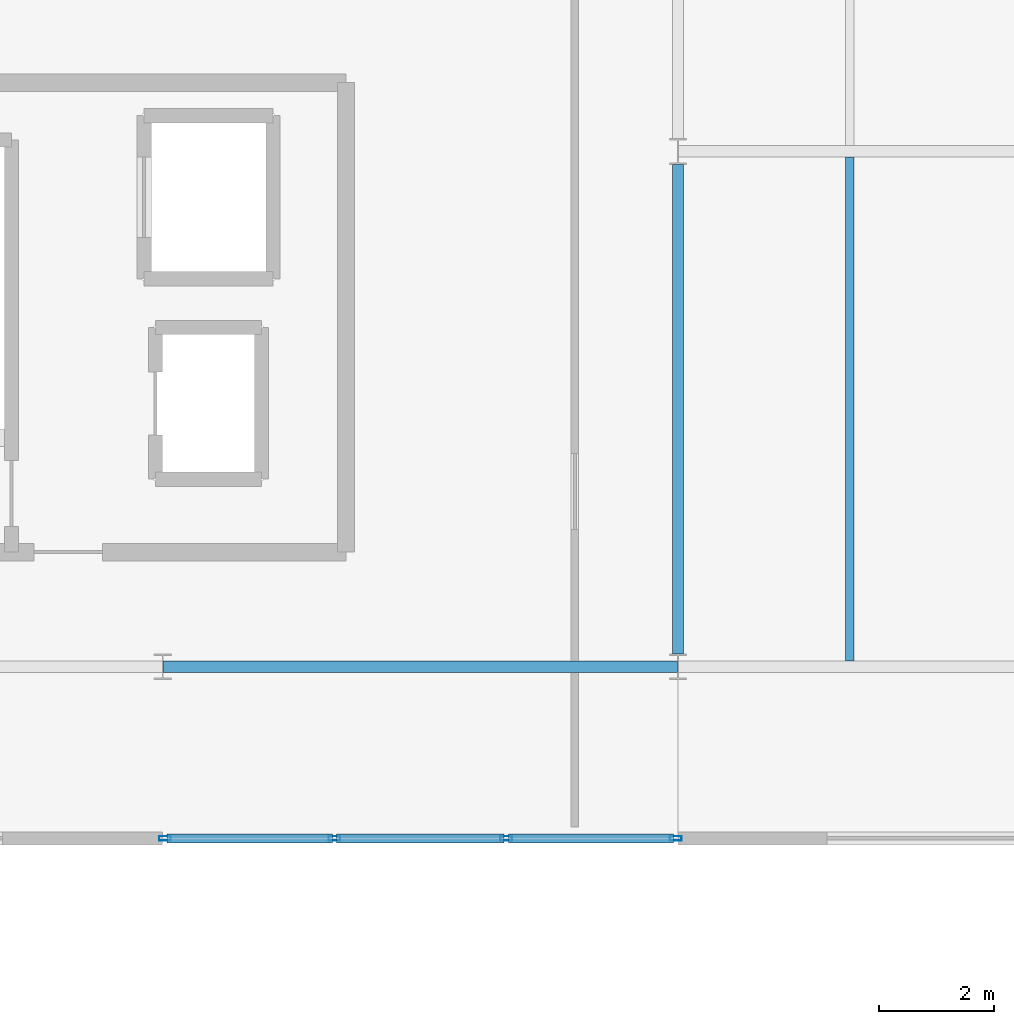
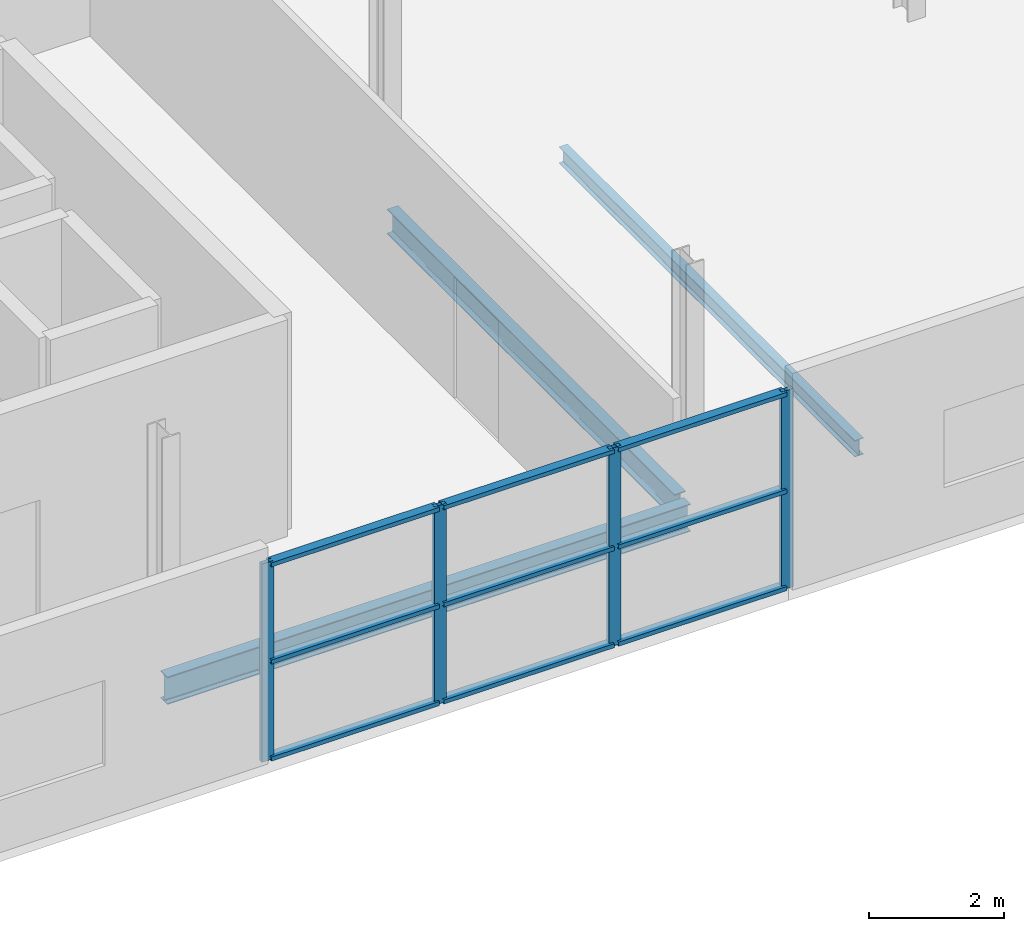
# One storey, part 46 of 132: 13 members, 3 beams, 1 element without a shape of its own.
"""IFC4 building model written with IfcOpenShell, lengths in metres."""

from ifc_helpers import new_model, si_unit, direction, frame, origin, origin_2d, place, context, subcontext, project, spatial, hollow_rectangle, i_section, extrude, material, layer, layer_set, material_profile, profile_set, type_object, element, aggregate, save


model = new_model("IFC4")

# Units and contexts
model_context = context("Model", 3, precision=1e-05, world=origin(), true_north=direction((0.0, 1.0)))
body_context = subcontext(model_context, "Body", "Model", "MODEL_VIEW")
ifc_project = project(units=[si_unit("LENGTHUNIT", "METRE"), si_unit("AREAUNIT", "SQUARE_METRE"), si_unit("VOLUMEUNIT", "CUBIC_METRE"), si_unit("PLANEANGLEUNIT", "RADIAN"), si_unit("MASSUNIT", "GRAM", prefix="KILO")], contexts=[model_context])

# Site, building, storey
site_placement = place(None, origin())
site = spatial("IfcSite", under=ifc_project, at=site_placement, CompositionType="ELEMENT")
building_placement = place(site_placement, origin())
building = spatial("IfcBuilding", under=site, at=building_placement, Name="Deido Ridge Mobility Hub", CompositionType="ELEMENT")
storey_placement = place(building_placement, frame((0.0, 0.0, 8.39990234375)))
storey = spatial("IfcBuildingStorey", under=building, at=storey_placement, Name="L02", CompositionType="ELEMENT", Elevation=8.39990234375)

# Beams
ifc_material_1 = material(Name="Steel S355J2 EN 10025-2", Category="steel")
ifc_material_profile_1 = material_profile(ifc_material_1, i_section(OverallWidth=0.18994140625, OverallDepth=0.449951171875, WebThickness=0.009521484375, FlangeThickness=0.0146484375, FilletRadius=0.02099609375, at=origin_2d()), Name="IPE 450")
ifc_profile_set_1 = profile_set([ifc_material_profile_1], Name="Steel S355J2 EN 10025-2")
beam_type_1 = type_object("IfcBeamType", Name="BM-IPE450", PredefinedType="BEAM", material=ifc_profile_set_1)
beam_1_placement = place(storey_placement, frame((27.0, 54.22509765625, -0.47998046875), z_axis=(0.0, 1.0, 0.0), x_axis=(-1.0, 0.0, 0.0)))
element("IfcBeam", 1, at=beam_1_placement, inside=storey, type_object=beam_type_1, Name="Floor beam B4", PredefinedType="BEAM", context=body_context, shape_type="SweptSolid", body=[
    extrude(i_section(OverallWidth=0.18994140625, OverallDepth=0.449951171875, WebThickness=0.009521484375, FlangeThickness=0.0146484375, FilletRadius=0.02099609375, at=origin_2d()), origin(), (0.0, 0.0, 1.0), 8.5498046875),
])
ifc_material_profile_2 = material_profile(ifc_material_1, i_section(OverallWidth=0.199951171875, OverallDepth=0.5, WebThickness=0.01025390625, FlangeThickness=0.01611328125, FilletRadius=0.02099609375, at=origin_2d()), Name="IPE 500")
ifc_profile_set_2 = profile_set([ifc_material_profile_2], Name="Steel S355J2 EN 10025-2")
beam_type_2 = type_object("IfcBeamType", Name="BM-IPE500", PredefinedType="BEAM", material=ifc_profile_set_2)
beam_2_placement = place(storey_placement, frame((18.007080078125, 54.0, -0.5048828125), z_axis=(1.0, 0.0, 0.0), x_axis=(0.0, 1.0, 0.0)))
element("IfcBeam", 2, at=beam_2_placement, inside=storey, type_object=beam_type_2, Name="Floor beam B3", PredefinedType="BEAM", context=body_context, shape_type="SweptSolid", body=[
    extrude(i_section(OverallWidth=0.199951171875, OverallDepth=0.5, WebThickness=0.01025390625, FlangeThickness=0.01611328125, FilletRadius=0.02099609375, at=origin_2d()), origin(), (0.0, 0.0, 1.0), 8.98583984375),
])
ifc_material_profile_3 = material_profile(ifc_material_1, i_section(OverallWidth=0.14990234375, OverallDepth=0.300048828125, WebThickness=0.007080078125, FlangeThickness=0.0107421875, FilletRadius=0.014892578125, at=origin_2d()), Name="IPE 300")
ifc_profile_set_3 = profile_set([ifc_material_profile_3], Name="Steel S355J2 EN 10025-2")
beam_type_3 = type_object("IfcBeamType", Name="JST-IPE300", PredefinedType="JOIST", material=ifc_profile_set_3)
beam_3_placement = place(storey_placement, frame((30.0, 54.10009765625, -0.40478515625), z_axis=(0.0, 1.0, 0.0), x_axis=(-1.0, 0.0, 0.0)))
element("IfcBeam", 3, at=beam_3_placement, inside=storey, type_object=beam_type_3, Name="Composite joist J3", PredefinedType="JOIST", context=body_context, shape_type="SweptSolid", body=[
    extrude(i_section(OverallWidth=0.14990234375, OverallDepth=0.300048828125, WebThickness=0.007080078125, FlangeThickness=0.0107421875, FilletRadius=0.014892578125, at=origin_2d()), origin(), (0.0, 0.0, 1.0), 8.7998046875),
])

# Curtain wall, members
ifc_material_2 = material(Name="Anodised aluminium EN AW-6063 T6", Category="aluminium")
ifc_layer = layer(ifc_material_2, 0.156005859375, Name="Anodised aluminium EN AW-6063 T6")
ifc_layer_set = layer_set([ifc_layer], Name="Anodised aluminium EN AW-6063 T6")
curtain_wall_type = type_object("IfcCurtainWallType", Name="CW-GS-3", PredefinedType="USERDEFINED", material=ifc_layer_set)
curtain_wall_placement = place(storey_placement, origin())
curtain_wall = element("IfcCurtainWall", 4, at=curtain_wall_placement, inside=storey, type_object=curtain_wall_type, Name="Unitised curtain wall GS3", ObjectType="GLAZED SCREEN", PredefinedType="USERDEFINED")
ifc_material_profile_4 = material_profile(ifc_material_2, hollow_rectangle(XDim=0.074951171875, YDim=0.205078125, WallThickness=0.00390625, at=origin_2d()), Name="RHS 75x205x4")
ifc_profile_set_4 = profile_set([ifc_material_profile_4], Name="Anodised aluminium EN AW-6063 T6")
member_type_1 = type_object("IfcMemberType", Name="MEM-MUL-75X205", PredefinedType="MULLION", material=ifc_profile_set_4)
member_1_placement = place(storey_placement, frame((18.03759765625, 51.0, 0.0), z_axis=(0.0, 0.0, 1.0), x_axis=(0.0, 1.0, 0.0)))
member_1 = element("IfcMember", 5, at=member_1_placement, type_object=member_type_1, Name="GS3 mullion 1", PredefinedType="MULLION", context=body_context, shape_type="SweptSolid", body=[
    extrude(hollow_rectangle(XDim=0.074951171875, YDim=0.205078125, WallThickness=0.00390625, at=origin_2d()), origin(), (0.0, 0.0, 1.0), 3.60009765625),
])
member_2_placement = place(storey_placement, frame((21.0, 51.0, 0.0), z_axis=(0.0, 0.0, 1.0), x_axis=(0.0, 1.0, 0.0)))
member_2 = element("IfcMember", 6, at=member_2_placement, type_object=member_type_1, Name="GS3 mullion 2", PredefinedType="MULLION", context=body_context, shape_type="SweptSolid", body=[
    extrude(hollow_rectangle(XDim=0.074951171875, YDim=0.205078125, WallThickness=0.00390625, at=origin_2d()), origin(), (0.0, 0.0, 1.0), 3.60009765625),
])
member_3_placement = place(storey_placement, frame((24.0, 51.0, 0.0), z_axis=(0.0, 0.0, 1.0), x_axis=(0.0, 1.0, 0.0)))
member_3 = element("IfcMember", 7, at=member_3_placement, type_object=member_type_1, Name="GS3 mullion 3", PredefinedType="MULLION", context=body_context, shape_type="SweptSolid", body=[
    extrude(hollow_rectangle(XDim=0.074951171875, YDim=0.205078125, WallThickness=0.00390625, at=origin_2d()), origin(), (0.0, 0.0, 1.0), 3.60009765625),
])
member_4_placement = place(storey_placement, frame((26.96240234375, 51.0, 0.0), z_axis=(0.0, 0.0, 1.0), x_axis=(0.0, 1.0, 0.0)))
member_4 = element("IfcMember", 8, at=member_4_placement, type_object=member_type_1, Name="GS3 mullion 4", PredefinedType="MULLION", context=body_context, shape_type="SweptSolid", body=[
    extrude(hollow_rectangle(XDim=0.074951171875, YDim=0.205078125, WallThickness=0.00390625, at=origin_2d()), origin(), (0.0, 0.0, 1.0), 3.60009765625),
])
ifc_material_profile_5 = material_profile(ifc_material_2, hollow_rectangle(XDim=0.155029296875, YDim=0.074951171875, WallThickness=0.00390625, at=origin_2d()), Name="RHS 155x75x4")
ifc_profile_set_5 = profile_set([ifc_material_profile_5], Name="Anodised aluminium EN AW-6063 T6")
member_type_2 = type_object("IfcMemberType", Name="MEM-TRN-155X75", PredefinedType="USERDEFINED", material=ifc_profile_set_5)
member_5_placement = place(storey_placement, frame((18.074951171875, 51.0, 0.03759765625), z_axis=(1.0, 0.0, 0.0), x_axis=(0.0, 1.0, 0.0)))
member_5 = element("IfcMember", 9, at=member_5_placement, type_object=member_type_2, Name="GS3 transom 1.1", ObjectType="TRANSOM", PredefinedType="USERDEFINED", context=body_context, shape_type="SweptSolid", body=[
    extrude(hollow_rectangle(XDim=0.155029296875, YDim=0.074951171875, WallThickness=0.00390625, at=origin_2d()), origin(), (0.0, 0.0, 1.0), 2.887451171875),
])
member_6_placement = place(storey_placement, frame((18.074951171875, 51.0, 1.800048828125), z_axis=(1.0, 0.0, 0.0), x_axis=(0.0, 1.0, 0.0)))
member_6 = element("IfcMember", 10, at=member_6_placement, type_object=member_type_2, Name="GS3 transom 1.2", ObjectType="TRANSOM", PredefinedType="USERDEFINED", context=body_context, shape_type="SweptSolid", body=[
    extrude(hollow_rectangle(XDim=0.155029296875, YDim=0.074951171875, WallThickness=0.00390625, at=origin_2d()), origin(), (0.0, 0.0, 1.0), 2.887451171875),
])
member_7_placement = place(storey_placement, frame((18.074951171875, 51.0, 3.5625), z_axis=(1.0, 0.0, 0.0), x_axis=(0.0, 1.0, 0.0)))
member_7 = element("IfcMember", 11, at=member_7_placement, type_object=member_type_2, Name="GS3 transom 1.3", ObjectType="TRANSOM", PredefinedType="USERDEFINED", context=body_context, shape_type="SweptSolid", body=[
    extrude(hollow_rectangle(XDim=0.155029296875, YDim=0.074951171875, WallThickness=0.00390625, at=origin_2d()), origin(), (0.0, 0.0, 1.0), 2.887451171875),
])
member_8_placement = place(storey_placement, frame((21.03759765625, 51.0, 0.03759765625), z_axis=(1.0, 0.0, 0.0), x_axis=(0.0, 1.0, 0.0)))
member_8 = element("IfcMember", 12, at=member_8_placement, type_object=member_type_2, Name="GS3 transom 2.1", ObjectType="TRANSOM", PredefinedType="USERDEFINED", context=body_context, shape_type="SweptSolid", body=[
    extrude(hollow_rectangle(XDim=0.155029296875, YDim=0.074951171875, WallThickness=0.00390625, at=origin_2d()), origin(), (0.0, 0.0, 1.0), 2.9248046875),
])
member_9_placement = place(storey_placement, frame((21.03759765625, 51.0, 1.800048828125), z_axis=(1.0, 0.0, 0.0), x_axis=(0.0, 1.0, 0.0)))
member_9 = element("IfcMember", 13, at=member_9_placement, type_object=member_type_2, Name="GS3 transom 2.2", ObjectType="TRANSOM", PredefinedType="USERDEFINED", context=body_context, shape_type="SweptSolid", body=[
    extrude(hollow_rectangle(XDim=0.155029296875, YDim=0.074951171875, WallThickness=0.00390625, at=origin_2d()), origin(), (0.0, 0.0, 1.0), 2.9248046875),
])
member_10_placement = place(storey_placement, frame((21.03759765625, 51.0, 3.5625), z_axis=(1.0, 0.0, 0.0), x_axis=(0.0, 1.0, 0.0)))
member_10 = element("IfcMember", 14, at=member_10_placement, type_object=member_type_2, Name="GS3 transom 2.3", ObjectType="TRANSOM", PredefinedType="USERDEFINED", context=body_context, shape_type="SweptSolid", body=[
    extrude(hollow_rectangle(XDim=0.155029296875, YDim=0.074951171875, WallThickness=0.00390625, at=origin_2d()), origin(), (0.0, 0.0, 1.0), 2.9248046875),
])
member_11_placement = place(storey_placement, frame((24.03759765625, 51.0, 0.03759765625), z_axis=(1.0, 0.0, 0.0), x_axis=(0.0, 1.0, 0.0)))
member_11 = element("IfcMember", 15, at=member_11_placement, type_object=member_type_2, Name="GS3 transom 3.1", ObjectType="TRANSOM", PredefinedType="USERDEFINED", context=body_context, shape_type="SweptSolid", body=[
    extrude(hollow_rectangle(XDim=0.155029296875, YDim=0.074951171875, WallThickness=0.00390625, at=origin_2d()), origin(), (0.0, 0.0, 1.0), 2.887451171875),
])
member_12_placement = place(storey_placement, frame((24.03759765625, 51.0, 1.800048828125), z_axis=(1.0, 0.0, 0.0), x_axis=(0.0, 1.0, 0.0)))
member_12 = element("IfcMember", 16, at=member_12_placement, type_object=member_type_2, Name="GS3 transom 3.2", ObjectType="TRANSOM", PredefinedType="USERDEFINED", context=body_context, shape_type="SweptSolid", body=[
    extrude(hollow_rectangle(XDim=0.155029296875, YDim=0.074951171875, WallThickness=0.00390625, at=origin_2d()), origin(), (0.0, 0.0, 1.0), 2.887451171875),
])
member_13_placement = place(storey_placement, frame((24.03759765625, 51.0, 3.5625), z_axis=(1.0, 0.0, 0.0), x_axis=(0.0, 1.0, 0.0)))
member_13 = element("IfcMember", 17, at=member_13_placement, type_object=member_type_2, Name="GS3 transom 3.3", ObjectType="TRANSOM", PredefinedType="USERDEFINED", context=body_context, shape_type="SweptSolid", body=[
    extrude(hollow_rectangle(XDim=0.155029296875, YDim=0.074951171875, WallThickness=0.00390625, at=origin_2d()), origin(), (0.0, 0.0, 1.0), 2.887451171875),
])
aggregate(curtain_wall, [member_1, member_2, member_3, member_4, member_5, member_6, member_7, member_8, member_9, member_10, member_11, member_12, member_13])

save(model, "model.ifc")
